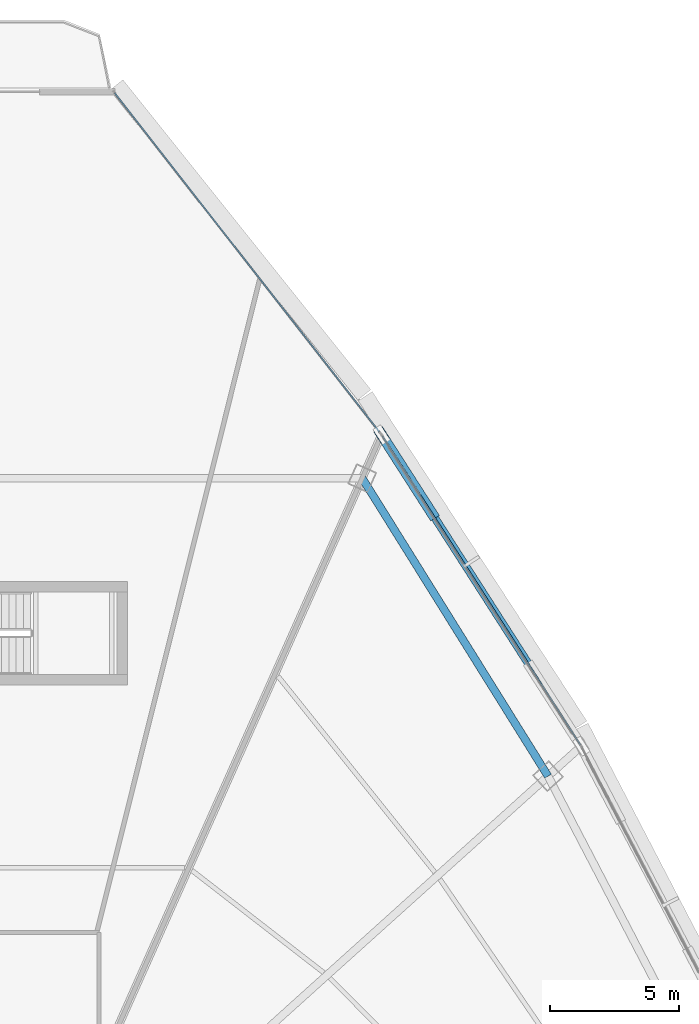
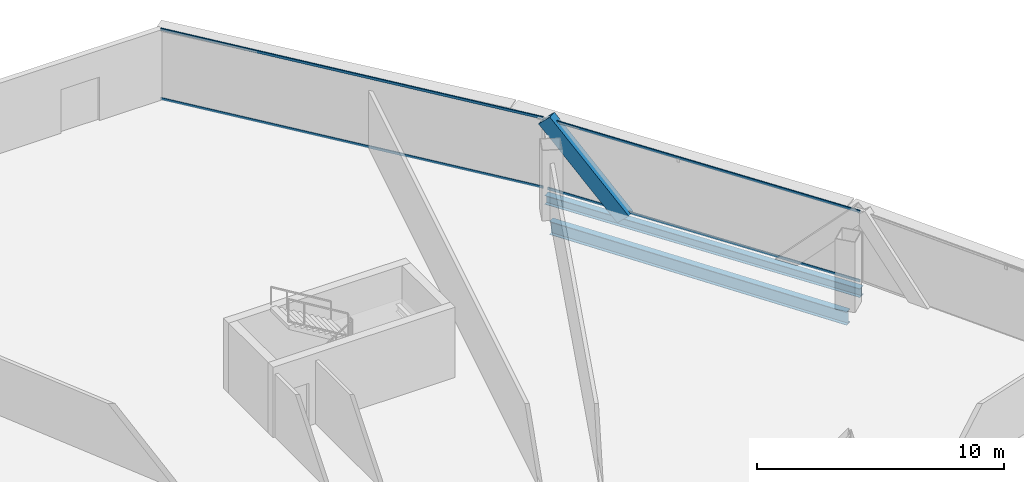
# One storey, part 24 of 37: 5 members, 2 beams, 2 elements without a shape of their own.
"""IFC4 building model written with IfcOpenShell, lengths in metres."""

import ifcopenshell
import ifcopenshell.guid

model = None  # the IFC model being written
_history = None  # IfcOwnerHistory: only IFC2X3 demands one
_inside = {}  # id of a spatial element -> (the spatial element, [elements in it])
_under = {}  # id of a project, library or spatial element -> (it, [spatial elements below it])
_declared = {}  # id of a project -> (the project, [libraries it declares])
_typed = {}  # id of a type object -> (the type object, [elements of that type])
_made_of = {}  # id of a material, layer set ... -> (it, [elements and type objects made of it])


def new_model(schema):
    """Start an empty IFC model of exactly this schema.

    Asked for "IFC4X3", IfcOpenShell would pick the latest addendum, in which some entities
    have other attributes; the version numbers below select the first issue.
    IFC2X3 requires an IfcOwnerHistory on every rooted entity: one is made here for all.
    """
    global model, _history
    if schema == "IFC4X3":
        model = ifcopenshell.file(schema_version=(4, 3, 0, 0))
    else:
        model = ifcopenshell.file(schema=schema)
    _inside.clear()
    _under.clear()
    _declared.clear()
    _typed.clear()
    _made_of.clear()
    _history = None
    if model.schema == "IFC2X3":
        org = make("IfcOrganization", Name="unknown")
        user = make(
            "IfcPersonAndOrganization",
            ThePerson=make("IfcPerson", FamilyName="unknown"),
            TheOrganization=org,
        )
        app = make(
            "IfcApplication",
            ApplicationDeveloper=org,
            Version="unknown",
            ApplicationFullName="unknown",
            ApplicationIdentifier="unknown",
        )
        _history = make(
            "IfcOwnerHistory",
            OwningUser=user,
            OwningApplication=app,
            ChangeAction="ADDED",
            CreationDate=0,
        )
    return model


def make(cls, **values):
    """One entity of the class cls with the attributes given. An attribute that is None is left unset."""
    return model.create_entity(
        cls, **{name: value for name, value in values.items() if value is not None}
    )


def rooted(cls, **values):
    """An entity with a GlobalId (a new one), such as an element, a storey or a relation."""
    return make(cls, GlobalId=ifcopenshell.guid.new(), OwnerHistory=_history, **values)


def si_unit(unit_type, name, prefix=None):
    """IfcSIUnit, for example si_unit("LENGTHUNIT", "METRE", prefix="MILLI")."""
    return make("IfcSIUnit", UnitType=unit_type, Prefix=prefix, Name=name)


def assignment(units):
    """IfcUnitAssignment: the units of a project."""
    return None if units is None else make("IfcUnitAssignment", Units=units)


def point(xyz):
    """IfcCartesianPoint."""
    return None if xyz is None else make("IfcCartesianPoint", Coordinates=xyz)


def direction(xyz):
    """IfcDirection."""
    return None if xyz is None else make("IfcDirection", DirectionRatios=xyz)


def frame(location, z_axis=None, x_axis=None):
    """IfcAxis2Placement3D, a coordinate frame: its origin and axes. An axis left out is left unset."""
    return make(
        "IfcAxis2Placement3D",
        Location=point(location),
        Axis=direction(z_axis),
        RefDirection=direction(x_axis),
    )


def frame_2d(location, x_axis=None):
    """IfcAxis2Placement2D, a coordinate frame in the plane: its origin and x axis."""
    return make(
        "IfcAxis2Placement2D", Location=point(location), RefDirection=direction(x_axis)
    )


def origin():
    """The frame at (0, 0, 0) with its axes left unset."""
    return frame((0.0, 0.0, 0.0))


def origin_2d():
    """The frame at (0, 0) in the plane with its x axis left unset."""
    return frame_2d((0.0, 0.0))


def place(relative_to, where):
    """IfcLocalPlacement: puts the frame where relative to a parent placement (None: the world)."""
    return make(
        "IfcLocalPlacement", PlacementRelTo=relative_to, RelativePlacement=where
    )


def context(
    kind, dimensions, precision=None, world=None, true_north=None, identifier=None
):
    """IfcGeometricRepresentationContext, for example the 3D "Model" context."""
    return make(
        "IfcGeometricRepresentationContext",
        ContextIdentifier=identifier,
        ContextType=kind,
        CoordinateSpaceDimension=dimensions,
        Precision=precision,
        WorldCoordinateSystem=world,
        TrueNorth=true_north,
    )


def subcontext(parent, identifier, kind, view, scale=None):
    """IfcGeometricRepresentationSubContext, for example "Body" below "Model"."""
    return make(
        "IfcGeometricRepresentationSubContext",
        ContextIdentifier=identifier,
        ContextType=kind,
        ParentContext=parent,
        TargetScale=scale,
        TargetView=view,
    )


def project(units=None, contexts=None):
    """IfcProject with its units and contexts."""
    return rooted(
        "IfcProject",
        Name="project",
        RepresentationContexts=contexts,
        UnitsInContext=assignment(units),
    )


def spatial(cls, under=None, at=None, **own):
    """A site, building, storey or space (cls), placed at a placement, below another one or the project."""
    s = rooted(cls, ObjectPlacement=at, **own)
    if under is not None:
        _under.setdefault(under.id(), (under, []))[1].append(s)
    return s


def profile(cls, at=None, kind="AREA", **sizes):
    """A parametric profile (cls). Its sizes go by their IFC names, for example OverallWidth=200.0."""
    return make(cls, ProfileType=kind, Position=at, **sizes)


def hollow_rectangle(**sizes):
    """IfcRectangleHollowProfileDef."""
    return profile("IfcRectangleHollowProfileDef", **sizes)


def i_section(**sizes):
    """IfcIShapeProfileDef."""
    return profile("IfcIShapeProfileDef", **sizes)


def extrude(swept, where, along, depth):
    """IfcExtrudedAreaSolid: the profile swept, set in the frame where, extruded along a direction by depth."""
    return make(
        "IfcExtrudedAreaSolid",
        SweptArea=swept,
        Position=where,
        ExtrudedDirection=direction(along),
        Depth=depth,
    )


def shape(context_of_items, identifier, shape_type, items):
    """IfcShapeRepresentation: the items that make up one representation, for example the "Body"."""
    return make(
        "IfcShapeRepresentation",
        ContextOfItems=context_of_items,
        RepresentationIdentifier=identifier,
        RepresentationType=shape_type,
        Items=items,
    )


def source(mapping_origin, context_of_items, identifier, shape_type, items):
    """IfcRepresentationMap: a shape defined once, which mapped items show again and again."""
    return make(
        "IfcRepresentationMap",
        MappingOrigin=mapping_origin,
        MappedRepresentation=shape(context_of_items, identifier, shape_type, items),
    )


def transform(
    local_origin,
    x_axis=None,
    y_axis=None,
    z_axis=None,
    scale=None,
    scale2=None,
    scale3=None,
    uniform=True,
):
    """IfcCartesianTransformationOperator3D, or its non-uniform kind. x_axis, y_axis, z_axis: its Axis1, 2, 3."""
    if uniform:
        return make(
            "IfcCartesianTransformationOperator3D",
            Axis1=direction(x_axis),
            Axis2=direction(y_axis),
            LocalOrigin=point(local_origin),
            Scale=scale,
            Axis3=direction(z_axis),
        )
    return make(
        "IfcCartesianTransformationOperator3DnonUniform",
        Axis1=direction(x_axis),
        Axis2=direction(y_axis),
        LocalOrigin=point(local_origin),
        Scale=scale,
        Axis3=direction(z_axis),
        Scale2=scale2,
        Scale3=scale3,
    )


def mapped(mapping_source, mapping_target):
    """IfcMappedItem: shows the shape of a source again, moved by a transform."""
    return make(
        "IfcMappedItem", MappingSource=mapping_source, MappingTarget=mapping_target
    )


def material(Name=None, Category=None):
    """IfcMaterial."""
    return make("IfcMaterial", Name=Name, Category=Category)


def layer(
    of_material, thickness, ventilated=None, Name=None, Category=None, Priority=None
):
    """IfcMaterialLayer: one layer of a wall or slab, of a material (None: an air gap)."""
    return make(
        "IfcMaterialLayer",
        Material=of_material,
        LayerThickness=thickness,
        IsVentilated=ventilated,
        Name=Name,
        Category=Category,
        Priority=Priority,
    )


def layer_set(layers, Name=None):
    """IfcMaterialLayerSet."""
    return make("IfcMaterialLayerSet", MaterialLayers=layers, LayerSetName=Name)


def material_profile(
    of_material, cross_section, Name=None, Category=None, Priority=None
):
    """IfcMaterialProfile: a cross section and its material."""
    return make(
        "IfcMaterialProfile",
        Name=Name,
        Material=of_material,
        Profile=cross_section,
        Priority=Priority,
        Category=Category,
    )


def profile_set(profiles, Name=None, composite=None):
    """IfcMaterialProfileSet."""
    return make(
        "IfcMaterialProfileSet",
        Name=Name,
        MaterialProfiles=profiles,
        CompositeProfile=composite,
    )


def made_of(thing, what):
    """Note that an element or type object is made of a material, layer set ...; save() writes the relation."""
    if what is not None:
        _made_of.setdefault(what.id(), (what, []))[1].append(thing)
    return thing


def type_object(cls, material=None, **own):
    """A type object (cls), such as IfcWallType, which elements share."""
    return made_of(rooted(cls, **own), material)


def element(
    cls,
    number,
    at=None,
    inside=None,
    cuts=None,
    type_object=None,
    material=None,
    context=None,
    identifier="Body",
    shape_type=None,
    held_by="IfcProductDefinitionShape",
    body=None,
    shapes=None,
    **own,
):
    """One element of the class cls, such as IfcWall. Its Tag is "e" and its number.

    at: its placement. inside: the storey or other place that contains it. cuts: it is an
    opening in that element (IfcRelVoidsElement). A single representation is given by context,
    identifier, shape_type and body (its items); several are given by shapes. held_by: the class
    of the entity that holds the representations. save() writes the other relations.
    """
    e = rooted(cls, Tag="e%d" % number, ObjectPlacement=at, **own)
    if body is not None:
        shapes = [shape(context, identifier, shape_type, body)]
    if shapes is not None:
        e.Representation = make(held_by, Representations=shapes)
    if inside is not None:
        _inside.setdefault(inside.id(), (inside, []))[1].append(e)
    if cuts is not None:
        rooted(
            "IfcRelVoidsElement", RelatingBuildingElement=cuts, RelatedOpeningElement=e
        )
    if type_object is not None:
        _typed.setdefault(type_object.id(), (type_object, []))[1].append(e)
    return made_of(e, material)


def aggregate(whole, parts):
    """IfcRelAggregates: a whole, such as a stair, and the parts it consists of."""
    return rooted("IfcRelAggregates", RelatingObject=whole, RelatedObjects=parts)


def save(model, path):
    """Write the relations noted so far, then the file.

    IfcRelAggregates (storeys below a building ...), IfcRelContainedInSpatialStructure (elements
    in a storey), IfcRelDefinesByType, IfcRelAssociatesMaterial and IfcRelDeclares: one each for
    every whole, place, type object, material and project.
    """
    for whole, parts in _under.values():
        aggregate(whole, parts)
    for where, things in _inside.values():
        rooted(
            "IfcRelContainedInSpatialStructure",
            RelatedElements=things,
            RelatingStructure=where,
        )
    for kind, things in _typed.values():
        rooted("IfcRelDefinesByType", RelatedObjects=things, RelatingType=kind)
    for what, things in _made_of.values():
        rooted("IfcRelAssociatesMaterial", RelatedObjects=things, RelatingMaterial=what)
    for by, libraries in _declared.values():
        rooted("IfcRelDeclares", RelatingContext=by, RelatedDefinitions=libraries)
    model.write(path)


model = new_model("IFC4")

# Units and contexts
model_context = context("Model", 3, precision=1e-05, world=origin(), true_north=direction((0.0, 1.0)))
body_context = subcontext(model_context, "Body", "Model", "MODEL_VIEW")
ifc_project = project(units=[si_unit("LENGTHUNIT", "METRE"), si_unit("AREAUNIT", "SQUARE_METRE"), si_unit("VOLUMEUNIT", "CUBIC_METRE"), si_unit("PLANEANGLEUNIT", "RADIAN"), si_unit("MASSUNIT", "GRAM", prefix="KILO"), si_unit("THERMODYNAMICTEMPERATUREUNIT", "KELVIN"), si_unit("POWERUNIT", "WATT")], contexts=[model_context])

# Site, building, storey
site_placement = place(None, origin())
site = spatial("IfcSite", under=ifc_project, at=site_placement, CompositionType="ELEMENT")
building_placement = place(site_placement, origin())
building = spatial("IfcBuilding", under=site, at=building_placement, Name="Yunzhuo Pagoda Commons", CompositionType="ELEMENT")
storey_placement = place(building_placement, frame((0.0, 0.0, 251.989990234375)))
storey = spatial("IfcBuildingStorey", under=building, at=storey_placement, Name="L63", CompositionType="ELEMENT", Elevation=251.989990234375)

# Beams
ifc_material_1 = material(Name="Structural steel Q355B", Category="steel")
ifc_material_profile_1 = material_profile(ifc_material_1, i_section(OverallWidth=0.300048828125, OverallDepth=0.64990234375, WebThickness=0.012939453125, FlangeThickness=0.02197265625, at=origin_2d()), Name="Structural steel Q355B")
ifc_profile_set_1 = profile_set([ifc_material_profile_1], Name="Structural steel Q355B")
beam_type_1 = type_object("IfcBeamType", Name="B-RG2 Beam HN 650x300x13x22", PredefinedType="BEAM", material=ifc_profile_set_1)
shared_shape_1 = source(origin(), body_context, "Body", "SweptSolid", [
    extrude(i_section(OverallWidth=0.300048828125, OverallDepth=0.64990234375, WebThickness=0.012939453125, FlangeThickness=0.02197265625, at=origin_2d()), origin(), (0.0, 0.0, 1.0), 13.615478515625),
])
beam_1_placement = place(storey_placement, frame((68.61181640625, 52.259033203125, -0.5849609375), z_axis=(-0.529178300485, 0.848510651846, 0.0), x_axis=(-0.848510651846, -0.529178300485, 0.0)))
element("IfcBeam", 1, at=beam_1_placement, inside=storey, type_object=beam_type_1, Name="L63 column-ring beam 7", PredefinedType="BEAM", context=body_context, shape_type="MappedRepresentation", body=[
    mapped(shared_shape_1, transform((0.0, 0.0, 0.0), scale=1.0)),
])
ifc_material_profile_2 = material_profile(ifc_material_1, i_section(OverallWidth=0.300048828125, OverallDepth=0.43994140625, WebThickness=0.010986328125, FlangeThickness=0.01806640625, at=origin_2d()), Name="Structural steel Q355B")
ifc_profile_set_2 = profile_set([ifc_material_profile_2], Name="Structural steel Q355B")
beam_type_2 = type_object("IfcBeamType", Name="B-SP2 Beam HM 440x300x11x18", PredefinedType="BEAM", material=ifc_profile_set_2)
shared_shape_2 = source(origin(), body_context, "Body", "SweptSolid", [
    extrude(i_section(OverallWidth=0.300048828125, OverallDepth=0.43994140625, WebThickness=0.010986328125, FlangeThickness=0.01806640625, at=origin_2d()), origin(), (0.0, 0.0, 1.0), 14.346435546875),
])
beam_2_placement = place(storey_placement, frame((69.902099609375, 53.420654296875, -0.47998046875), z_axis=(-0.539882583277, 0.841740337797, 0.0), x_axis=(-0.841740337797, -0.539882583277, 0.0)))
element("IfcBeam", 2, at=beam_2_placement, inside=storey, type_object=beam_type_2, Name="L63 facade edge spandrel beam F2.3", PredefinedType="BEAM", context=body_context, shape_type="MappedRepresentation", body=[
    mapped(shared_shape_2, transform((0.0, 0.0, 0.0), scale=1.0)),
])

# Member
ifc_material_profile_3 = material_profile(ifc_material_1, hollow_rectangle(XDim=0.39990234375, YDim=0.719970703125, WallThickness=0.02392578125, at=origin_2d()), Name="Structural steel Q355B")
ifc_profile_set_3 = profile_set([ifc_material_profile_3], Name="Structural steel Q355B")
member_type_1 = type_object("IfcMemberType", Name="M-DL2 Brace BOX 720x400x24", PredefinedType="BRACE", material=ifc_profile_set_3)
shared_shape_3 = source(origin(), body_context, "Body", "SweptSolid", [
    extrude(hollow_rectangle(XDim=0.39990234375, YDim=0.719970703125, WallThickness=0.02392578125, at=origin_2d()), origin(), (0.0, 0.0, 1.0), 5.17431640625),
])
member_1_placement = place(storey_placement, frame((64.093017578125, 62.4775390625, -0.259765625), z_axis=(-0.374201430554, 0.583454153352, 0.720801318192), x_axis=(-0.84175303115, -0.539862792338, 0.0)))
element("IfcMember", 3, at=member_1_placement, inside=storey, type_object=member_type_1, Name="L63 facade diamond brace F2.3R", PredefinedType="BRACE", context=body_context, shape_type="MappedRepresentation", body=[
    mapped(shared_shape_3, transform((0.0, 0.0, 0.0), scale=1.0)),
])

# Curtain wall, members
ifc_material_2 = material(Name="Anodized aluminium 6063-T6", Category="aluminium")
ifc_layer = layer(ifc_material_2, 0.139892578125)
ifc_layer_set = layer_set([ifc_layer], Name="Anodized aluminium 6063-T6")
curtain_wall_type = type_object("IfcCurtainWallType", Name="CW-HI High-Zone Ribbon Curtain Wall", PredefinedType="NOTDEFINED", material=ifc_layer_set)
curtain_wall_1_placement = place(storey_placement, origin())
curtain_wall_1 = element("IfcCurtainWall", 4, at=curtain_wall_1_placement, inside=storey, type_object=curtain_wall_type, Name="L63 curtain wall CW-L63-F2B4", PredefinedType="NOTDEFINED")
ifc_material_profile_4 = material_profile(ifc_material_2, hollow_rectangle(XDim=0.054931640625, YDim=0.1201171875, WallThickness=0.00341796875, at=origin_2d()), Name="Anodized aluminium 6063-T6")
ifc_profile_set_4 = profile_set([ifc_material_profile_4], Name="Anodized aluminium 6063-T6")
member_type_2 = type_object("IfcMemberType", Name="CW-HI-T Transom RHS 120x55x3.5", PredefinedType="USERDEFINED", material=ifc_profile_set_4)
shared_shape_4 = source(origin(), body_context, "Body", "SweptSolid", [
    extrude(hollow_rectangle(XDim=0.054931640625, YDim=0.1201171875, WallThickness=0.00341796875, at=origin_2d()), origin(), (0.0, 0.0, 1.0), 14.226318359375),
])
member_2_placement = place(storey_placement, frame((69.86962890625, 53.47119140625, 0.027587890625), z_axis=(-0.539876927328, 0.841743965431, 0.0), x_axis=(-0.841743965431, -0.539876927328, 0.0)))
member_2 = element("IfcMember", 5, at=member_2_placement, type_object=member_type_2, Name="CW transom 1.1", ObjectType="TRANSOM", PredefinedType="USERDEFINED", context=body_context, shape_type="MappedRepresentation", body=[
    mapped(shared_shape_4, transform((0.0, 0.0, 0.0), scale=1.0)),
])
member_3_placement = place(storey_placement, frame((69.86962890625, 53.47119140625, 3.442626953125), z_axis=(-0.539876927328, 0.841743965431, 0.0), x_axis=(-0.841743965431, -0.539876927328, 0.0)))
member_3 = element("IfcMember", 6, at=member_3_placement, type_object=member_type_2, Name="CW transom 1.2", ObjectType="TRANSOM", PredefinedType="USERDEFINED", context=body_context, shape_type="MappedRepresentation", body=[
    mapped(shared_shape_4, transform((0.0, 0.0, 0.0), scale=1.0)),
])
aggregate(curtain_wall_1, [member_2, member_3])

curtain_wall_2_placement = place(storey_placement, origin())
curtain_wall_2 = element("IfcCurtainWall", 7, at=curtain_wall_2_placement, inside=storey, type_object=curtain_wall_type, Name="L63 curtain wall CW-L63-F2B5", PredefinedType="NOTDEFINED")
shared_shape_5 = source(origin(), body_context, "Body", "SweptSolid", [
    extrude(hollow_rectangle(XDim=0.054931640625, YDim=0.1201171875, WallThickness=0.00341796875, at=origin_2d()), origin(), (0.0, 0.0, 1.0), 16.68017578125),
])
member_4_placement = place(storey_placement, frame((62.073974609375, 65.60302734375, 0.027587890625), z_axis=(-0.615441221202, 0.788182785429, 0.0), x_axis=(-0.788182785429, -0.615441221202, 0.0)))
member_4 = element("IfcMember", 8, at=member_4_placement, type_object=member_type_2, Name="CW transom 1.1", ObjectType="TRANSOM", PredefinedType="USERDEFINED", context=body_context, shape_type="MappedRepresentation", body=[
    mapped(shared_shape_5, transform((0.0, 0.0, 0.0), scale=1.0)),
])
member_5_placement = place(storey_placement, frame((62.073974609375, 65.60302734375, 3.442626953125), z_axis=(-0.615441221202, 0.788182785429, 0.0), x_axis=(-0.788182785429, -0.615441221202, 0.0)))
member_5 = element("IfcMember", 9, at=member_5_placement, type_object=member_type_2, Name="CW transom 1.2", ObjectType="TRANSOM", PredefinedType="USERDEFINED", context=body_context, shape_type="MappedRepresentation", body=[
    mapped(shared_shape_5, transform((0.0, 0.0, 0.0), scale=1.0)),
])
aggregate(curtain_wall_2, [member_4, member_5])

save(model, "model.ifc")
